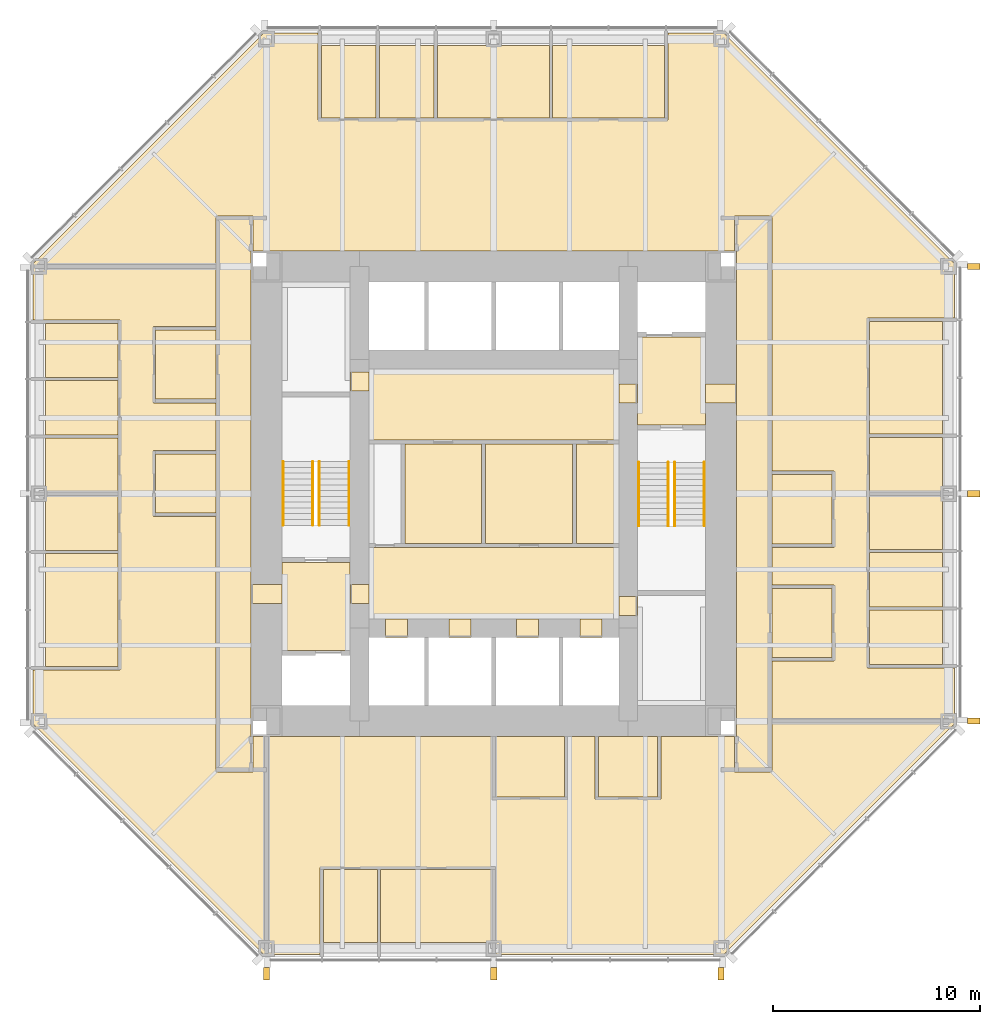
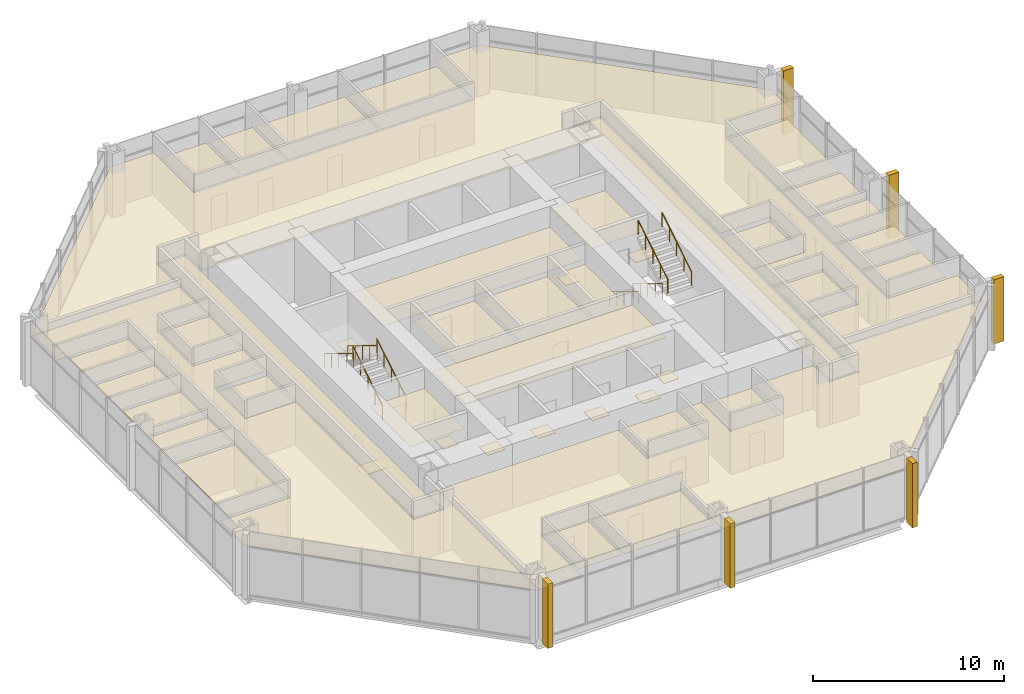
# One storey, part 12 of 12: 50 coverings, 8 railings.
"""IFC4 building model written with IfcOpenShell, lengths in metres."""

from ifc_helpers import new_model, si_unit, direction, frame, origin, origin_2d, place, context, subcontext, project, spatial, polyline, rectangle, circle, outline, extrude, material, layer, layer_set, type_object, element, save


model = new_model("IFC4")

# Units and contexts
model_context = context("Model", 3, precision=1e-05, world=origin(), true_north=direction((0.0, 1.0)))
body_context = subcontext(model_context, "Body", "Model", "MODEL_VIEW")
ifc_project = project(units=[si_unit("LENGTHUNIT", "METRE"), si_unit("AREAUNIT", "SQUARE_METRE"), si_unit("VOLUMEUNIT", "CUBIC_METRE"), si_unit("PLANEANGLEUNIT", "RADIAN"), si_unit("MASSUNIT", "GRAM", prefix="KILO")], contexts=[model_context])

# Site, building, storey
site_placement = place(None, origin())
site = spatial("IfcSite", under=ifc_project, at=site_placement, CompositionType="ELEMENT")
building_placement = place(site_placement, origin())
building = spatial("IfcBuilding", under=site, at=building_placement, Name="Trevanion Tower", CompositionType="ELEMENT")
storey_placement = place(building_placement, frame((0.0, 0.0, 121.300048828125)))
storey = spatial("IfcBuildingStorey", under=building, at=storey_placement, Name="L28", CompositionType="ELEMENT", Elevation=121.300048828125)

# Coverings
ifc_material_1 = material(Name="Fibrous plaster coffers on suspended steel grid", Category="steel")
ifc_layer_1 = layer(ifc_material_1, 0.050048828125)
ifc_layer_set_1 = layer_set([ifc_layer_1], Name="CL1 coffered fibrous plaster ceiling 50")
covering_type_1 = type_object("IfcCoveringType", Name="CL1 coffered fibrous plaster ceiling 50", PredefinedType="CEILING", material=ifc_layer_set_1)
covering_1_placement = place(storey_placement, frame((0.0, 0.0, 3.0)))
element("IfcCovering", 1, at=covering_1_placement, inside=storey, type_object=covering_type_1, Name="CL1 L28-LBS", PredefinedType="CEILING", context=body_context, shape_type="SweptSolid", body=[
    extrude(outline(polyline([(6.050048828125, -6.050048828125), (6.050048828125, -2.60009765625), (-6.050048828125, -2.60009765625), (-6.050048828125, -6.050048828125), (6.050048828125, -6.050048828125)])), origin(), (0.0, 0.0, 1.0), 0.050048828125),
])
ifc_material_2 = material(Name="Mineral fibre acoustic tiles in exposed grid", Category="mineral fibre")
ifc_layer_2 = layer(ifc_material_2, 0.02001953125)
ifc_layer_set_2 = layer_set([ifc_layer_2], Name="CL2 acoustic tile ceiling 20")
covering_type_2 = type_object("IfcCoveringType", Name="CL2 acoustic tile ceiling 20", PredefinedType="CEILING", material=ifc_layer_set_2)
covering_2_placement = place(storey_placement, frame((0.0, 0.0, 2.75)))
element("IfcCovering", 2, at=covering_2_placement, inside=storey, type_object=covering_type_2, Name="CL2 L28-LBN", PredefinedType="CEILING", context=body_context, shape_type="SweptSolid", body=[
    extrude(outline(polyline([(6.050048828125, 2.60009765625), (6.050048828125, 6.050048828125), (-6.050048828125, 6.050048828125), (-6.050048828125, 2.60009765625), (6.050048828125, 2.60009765625)])), origin(), (0.0, 0.0, 1.0), 0.02001953125),
])
covering_3_placement = place(storey_placement, frame((0.0, 0.0, 2.75)))
element("IfcCovering", 3, at=covering_3_placement, inside=storey, type_object=covering_type_2, Name="CL2 L28-CO1", PredefinedType="CEILING", context=body_context, shape_type="SweptSolid", body=[
    extrude(outline(polyline([(-11.75, 13.35009765625), (-11.75, -13.35009765625), (-13.35009765625, -13.35009765625), (-13.35009765625, 13.35009765625), (-11.75, 13.35009765625)])), origin(), (0.0, 0.0, 1.0), 0.02001953125),
])
covering_4_placement = place(storey_placement, frame((0.0, 0.0, 2.75)))
element("IfcCovering", 4, at=covering_4_placement, inside=storey, type_object=covering_type_2, Name="CL2 L28-CO2", PredefinedType="CEILING", context=body_context, shape_type="SweptSolid", body=[
    extrude(outline(polyline([(11.75, 13.35009765625), (13.35009765625, 13.35009765625), (13.35009765625, -13.35009765625), (11.75, -13.35009765625), (11.75, 13.35009765625)])), origin(), (0.0, 0.0, 1.0), 0.02001953125),
])
covering_5_placement = place(storey_placement, frame((0.0, 0.0, 2.75)))
element("IfcCovering", 5, at=covering_5_placement, inside=storey, type_object=covering_type_2, Name="CL2 L28-OF", PredefinedType="CEILING", context=body_context, shape_type="SweptSolid", body=[
    extrude(outline(polyline([(18.175048828125, -8.248046875), (18.175048828125, -5.6240234375), (21.699951171875, -5.6240234375), (21.699951171875, -8.248046875), (18.175048828125, -8.248046875)])), origin(), (0.0, 0.0, 1.0), 0.02001953125),
])
covering_6_placement = place(storey_placement, frame((0.0, 0.0, 2.75)))
element("IfcCovering", 6, at=covering_6_placement, inside=storey, type_object=covering_type_2, Name="CL2 L28-OF2", PredefinedType="CEILING", context=body_context, shape_type="SweptSolid", body=[
    extrude(outline(polyline([(18.175048828125, -5.47412109375), (18.175048828125, -2.85009765625), (21.699951171875, -2.85009765625), (21.699951171875, -5.47412109375), (18.175048828125, -5.47412109375)])), origin(), (0.0, 0.0, 1.0), 0.02001953125),
])
covering_7_placement = place(storey_placement, frame((0.0, 0.0, 2.75)))
element("IfcCovering", 7, at=covering_7_placement, inside=storey, type_object=covering_type_2, Name="CL2 L28-OF3", PredefinedType="CEILING", context=body_context, shape_type="SweptSolid", body=[
    extrude(outline(polyline([(18.175048828125, -2.699951171875), (18.175048828125, -0.074951171875), (21.699951171875, -0.074951171875), (21.699951171875, -2.699951171875), (18.175048828125, -2.699951171875)])), origin(), (0.0, 0.0, 1.0), 0.02001953125),
])
covering_8_placement = place(storey_placement, frame((0.0, 0.0, 2.75)))
element("IfcCovering", 8, at=covering_8_placement, inside=storey, type_object=covering_type_2, Name="CL2 L28-OF4", PredefinedType="CEILING", context=body_context, shape_type="SweptSolid", body=[
    extrude(outline(polyline([(18.175048828125, 0.074951171875), (18.175048828125, 2.73193359375), (21.699951171875, 2.73193359375), (21.699951171875, 0.074951171875), (18.175048828125, 0.074951171875)])), origin(), (0.0, 0.0, 1.0), 0.02001953125),
])
covering_9_placement = place(storey_placement, frame((0.0, 0.0, 2.75)))
element("IfcCovering", 9, at=covering_9_placement, inside=storey, type_object=covering_type_2, Name="CL2 L28-MR", PredefinedType="CEILING", context=body_context, shape_type="SweptSolid", body=[
    extrude(outline(polyline([(18.175048828125, 2.882080078125), (18.175048828125, 8.345947265625), (21.699951171875, 8.345947265625), (21.699951171875, 2.882080078125), (18.175048828125, 2.882080078125)])), origin(), (0.0, 0.0, 1.0), 0.02001953125),
])
covering_10_placement = place(storey_placement, frame((0.0, 0.0, 2.75)))
element("IfcCovering", 10, at=covering_10_placement, inside=storey, type_object=covering_type_2, Name="CL2 L28-MR2", PredefinedType="CEILING", context=body_context, shape_type="SweptSolid", body=[
    extrude(outline(polyline([(8.248046875, 18.175048828125), (2.85009765625, 18.175048828125), (2.85009765625, 21.699951171875), (8.248046875, 21.699951171875), (8.248046875, 18.175048828125)])), origin(), (0.0, 0.0, 1.0), 0.02001953125),
])
covering_11_placement = place(storey_placement, frame((0.0, 0.0, 2.75)))
element("IfcCovering", 11, at=covering_11_placement, inside=storey, type_object=covering_type_2, Name="CL2 L28-MR3", PredefinedType="CEILING", context=body_context, shape_type="SweptSolid", body=[
    extrude(outline(polyline([(2.699951171875, 18.175048828125), (-2.73193359375, 18.175048828125), (-2.73193359375, 21.699951171875), (2.699951171875, 21.699951171875), (2.699951171875, 18.175048828125)])), origin(), (0.0, 0.0, 1.0), 0.02001953125),
])
covering_12_placement = place(storey_placement, frame((0.0, 0.0, 2.75)))
element("IfcCovering", 12, at=covering_12_placement, inside=storey, type_object=covering_type_2, Name="CL2 L28-OF5", PredefinedType="CEILING", context=body_context, shape_type="SweptSolid", body=[
    extrude(outline(polyline([(-2.882080078125, 18.175048828125), (-5.5390625, 18.175048828125), (-5.5390625, 21.699951171875), (-2.882080078125, 21.699951171875), (-2.882080078125, 18.175048828125)])), origin(), (0.0, 0.0, 1.0), 0.02001953125),
])
covering_13_placement = place(storey_placement, frame((0.0, 0.0, 2.75)))
element("IfcCovering", 13, at=covering_13_placement, inside=storey, type_object=covering_type_2, Name="CL2 L28-OF6", PredefinedType="CEILING", context=body_context, shape_type="SweptSolid", body=[
    extrude(outline(polyline([(-5.68896484375, 18.175048828125), (-8.345947265625, 18.175048828125), (-8.345947265625, 21.699951171875), (-5.68896484375, 21.699951171875), (-5.68896484375, 18.175048828125)])), origin(), (0.0, 0.0, 1.0), 0.02001953125),
])
covering_14_placement = place(storey_placement, frame((0.0, 0.0, 2.75)))
element("IfcCovering", 14, at=covering_14_placement, inside=storey, type_object=covering_type_2, Name="CL2 L28-OF7", PredefinedType="CEILING", context=body_context, shape_type="SweptSolid", body=[
    extrude(outline(polyline([(-18.175048828125, 8.248046875), (-18.175048828125, 5.6240234375), (-21.699951171875, 5.6240234375), (-21.699951171875, 8.248046875), (-18.175048828125, 8.248046875)])), origin(), (0.0, 0.0, 1.0), 0.02001953125),
])
covering_15_placement = place(storey_placement, frame((0.0, 0.0, 2.75)))
element("IfcCovering", 15, at=covering_15_placement, inside=storey, type_object=covering_type_2, Name="CL2 L28-OF8", PredefinedType="CEILING", context=body_context, shape_type="SweptSolid", body=[
    extrude(outline(polyline([(-18.175048828125, 5.47412109375), (-18.175048828125, 2.85009765625), (-21.699951171875, 2.85009765625), (-21.699951171875, 5.47412109375), (-18.175048828125, 5.47412109375)])), origin(), (0.0, 0.0, 1.0), 0.02001953125),
])
covering_16_placement = place(storey_placement, frame((0.0, 0.0, 2.75)))
element("IfcCovering", 16, at=covering_16_placement, inside=storey, type_object=covering_type_2, Name="CL2 L28-OF9", PredefinedType="CEILING", context=body_context, shape_type="SweptSolid", body=[
    extrude(outline(polyline([(-18.175048828125, 2.699951171875), (-18.175048828125, 0.074951171875), (-21.699951171875, 0.074951171875), (-21.699951171875, 2.699951171875), (-18.175048828125, 2.699951171875)])), origin(), (0.0, 0.0, 1.0), 0.02001953125),
])
covering_17_placement = place(storey_placement, frame((0.0, 0.0, 2.75)))
element("IfcCovering", 17, at=covering_17_placement, inside=storey, type_object=covering_type_2, Name="CL2 L28-OF10", PredefinedType="CEILING", context=body_context, shape_type="SweptSolid", body=[
    extrude(outline(polyline([(-18.175048828125, -0.074951171875), (-18.175048828125, -2.73193359375), (-21.699951171875, -2.73193359375), (-21.699951171875, -0.074951171875), (-18.175048828125, -0.074951171875)])), origin(), (0.0, 0.0, 1.0), 0.02001953125),
])
covering_18_placement = place(storey_placement, frame((0.0, 0.0, 2.75)))
element("IfcCovering", 18, at=covering_18_placement, inside=storey, type_object=covering_type_2, Name="CL2 L28-MR4", PredefinedType="CEILING", context=body_context, shape_type="SweptSolid", body=[
    extrude(outline(polyline([(-18.175048828125, -2.882080078125), (-18.175048828125, -8.345947265625), (-21.699951171875, -8.345947265625), (-21.699951171875, -2.882080078125), (-18.175048828125, -2.882080078125)])), origin(), (0.0, 0.0, 1.0), 0.02001953125),
])
covering_19_placement = place(storey_placement, frame((0.0, 0.0, 2.75)))
element("IfcCovering", 19, at=covering_19_placement, inside=storey, type_object=covering_type_2, Name="CL2 L28-OF11", PredefinedType="CEILING", context=body_context, shape_type="SweptSolid", body=[
    extrude(outline(polyline([(-8.248046875, -18.175048828125), (-5.6240234375, -18.175048828125), (-5.6240234375, -21.699951171875), (-8.248046875, -21.699951171875), (-8.248046875, -18.175048828125)])), origin(), (0.0, 0.0, 1.0), 0.02001953125),
])
covering_20_placement = place(storey_placement, frame((0.0, 0.0, 2.75)))
element("IfcCovering", 20, at=covering_20_placement, inside=storey, type_object=covering_type_2, Name="CL2 L28-MR5", PredefinedType="CEILING", context=body_context, shape_type="SweptSolid", body=[
    extrude(outline(polyline([(-5.47412109375, -18.175048828125), (-0.074951171875, -18.175048828125), (-0.074951171875, -21.699951171875), (-5.47412109375, -21.699951171875), (-5.47412109375, -18.175048828125)])), origin(), (0.0, 0.0, 1.0), 0.02001953125),
])
covering_21_placement = place(storey_placement, frame((0.0, 0.0, 2.75)))
element("IfcCovering", 21, at=covering_21_placement, inside=storey, type_object=covering_type_2, Name="CL2 L28-RC", PredefinedType="CEILING", context=body_context, shape_type="SweptSolid", body=[
    extrude(outline(polyline([(13.449951171875, -7.925048828125), (13.449951171875, -4.574951171875), (16.375, -4.574951171875), (16.375, -7.925048828125), (13.449951171875, -7.925048828125)])), origin(), (0.0, 0.0, 1.0), 0.02001953125),
])
covering_22_placement = place(storey_placement, frame((0.0, 0.0, 2.75)))
element("IfcCovering", 22, at=covering_22_placement, inside=storey, type_object=covering_type_2, Name="CL2 L28-RC2", PredefinedType="CEILING", context=body_context, shape_type="SweptSolid", body=[
    extrude(outline(polyline([(-13.449951171875, 7.925048828125), (-13.449951171875, 4.574951171875), (-16.375, 4.574951171875), (-16.375, 7.925048828125), (-13.449951171875, 7.925048828125)])), origin(), (0.0, 0.0, 1.0), 0.02001953125),
])
covering_23_placement = place(storey_placement, frame((0.0, 0.0, 2.75)))
element("IfcCovering", 23, at=covering_23_placement, inside=storey, type_object=covering_type_2, Name="CL2 L28-RC3", PredefinedType="CEILING", context=body_context, shape_type="SweptSolid", body=[
    extrude(outline(polyline([(3.425048828125, -14.675048828125), (0.074951171875, -14.675048828125), (0.074951171875, -11.75), (3.425048828125, -11.75), (3.425048828125, -14.675048828125)])), origin(), (0.0, 0.0, 1.0), 0.02001953125),
])
covering_24_placement = place(storey_placement, frame((0.0, 0.0, 2.75)))
element("IfcCovering", 24, at=covering_24_placement, inside=storey, type_object=covering_type_2, Name="CL2 L28-OP", PredefinedType="CEILING", context=body_context, shape_type="SweptSolid", body=[
    extrude(outline(polyline([(11.64990234375, 13.449951171875), (11.64990234375, 11.75), (-11.64990234375, 11.75), (-11.64990234375, 13.449951171875), (-13.449951171875, 13.449951171875), (-13.449951171875, 11.0), (-22.300048828125, 11.0), (-22.300048828125, 11.124267578125), (-11.124267578125, 22.300048828125), (-8.51611328125, 22.300048828125), (-8.51611328125, 18.080078125), (8.41796875, 18.080078125), (8.41796875, 22.300048828125), (11.124267578125, 22.300048828125), (22.300048828125, 11.124267578125), (22.300048828125, 8.51611328125), (18.080078125, 8.51611328125), (18.080078125, -8.41796875), (22.300048828125, -8.41796875), (22.300048828125, -11.0), (13.449951171875, -11.0), (13.449951171875, -8.094970703125), (16.469970703125, -8.094970703125), (16.469970703125, -4.405029296875), (13.449951171875, -4.405029296875), (13.449951171875, -2.594970703125), (16.469970703125, -2.594970703125), (16.469970703125, 1.094970703125), (13.449951171875, 1.094970703125), (13.449951171875, 13.449951171875), (11.64990234375, 13.449951171875)])), origin(), (0.0, 0.0, 1.0), 0.02001953125),
])
covering_25_placement = place(storey_placement, frame((0.0, 0.0, 2.75)))
element("IfcCovering", 25, at=covering_25_placement, inside=storey, type_object=covering_type_2, Name="CL2 L28-OP2", PredefinedType="CEILING", context=body_context, shape_type="SweptSolid", body=[
    extrude(outline(polyline([(-13.449951171875, 8.094970703125), (-16.469970703125, 8.094970703125), (-16.469970703125, 4.405029296875), (-13.449951171875, 4.405029296875), (-13.449951171875, 2.094970703125), (-16.469970703125, 2.094970703125), (-16.469970703125, -1.094970703125), (-13.449951171875, -1.094970703125), (-13.449951171875, -13.449951171875), (-11.64990234375, -13.449951171875), (-11.64990234375, -11.75), (-11.0, -11.75), (-11.0, -22.300048828125), (-11.124267578125, -22.300048828125), (-22.300048828125, -11.124267578125), (-22.300048828125, -8.51611328125), (-18.080078125, -8.51611328125), (-18.080078125, 8.41796875), (-22.300048828125, 8.41796875), (-22.300048828125, 11.0), (-13.449951171875, 11.0), (-13.449951171875, 8.094970703125)])), origin(), (0.0, 0.0, 1.0), 0.02001953125),
])
covering_26_placement = place(storey_placement, frame((0.0, 0.0, 2.75)))
element("IfcCovering", 26, at=covering_26_placement, inside=storey, type_object=covering_type_2, Name="CL2 L28-OP3", PredefinedType="CEILING", context=body_context, shape_type="SweptSolid", body=[
    extrude(outline(polyline([(-0.094970703125, -11.75), (-0.094970703125, -14.77001953125), (3.594970703125, -14.77001953125), (3.594970703125, -11.75), (4.905029296875, -11.75), (4.905029296875, -14.77001953125), (8.094970703125, -14.77001953125), (8.094970703125, -11.75), (11.64990234375, -11.75), (11.64990234375, -13.449951171875), (13.449951171875, -13.449951171875), (13.449951171875, -11.0), (22.300048828125, -11.0), (22.300048828125, -11.124267578125), (11.124267578125, -22.300048828125), (0.094970703125, -22.300048828125), (0.094970703125, -18.080078125), (-8.41796875, -18.080078125), (-8.41796875, -22.300048828125), (-11.0, -22.300048828125), (-11.0, -11.75), (-0.094970703125, -11.75)])), origin(), (0.0, 0.0, 1.0), 0.02001953125),
])
ifc_material_3 = material(Name="Gypsum plasterboard on suspended metal furring", Category="gypsum")
ifc_layer_3 = layer(ifc_material_3, 0.012939453125)
ifc_layer_set_3 = layer_set([ifc_layer_3], Name="CL3 plasterboard ceiling 13")
covering_type_3 = type_object("IfcCoveringType", Name="CL3 plasterboard ceiling 13", PredefinedType="CEILING", material=ifc_layer_set_3)
covering_27_placement = place(storey_placement, frame((0.0, 0.0, 2.699951171875)))
element("IfcCovering", 27, at=covering_27_placement, inside=storey, type_object=covering_type_3, Name="CL3 L28-FV1", PredefinedType="CEILING", context=body_context, shape_type="SweptSolid", body=[
    extrude(outline(polyline([(10.25, 3.324951171875), (10.25, 7.574951171875), (6.949951171875, 7.574951171875), (6.949951171875, 3.324951171875), (10.25, 3.324951171875)])), origin(), (0.0, 0.0, 1.0), 0.012939453125),
])
covering_28_placement = place(storey_placement, frame((0.0, 0.0, 2.699951171875)))
element("IfcCovering", 28, at=covering_28_placement, inside=storey, type_object=covering_type_3, Name="CL3 L28-FV2", PredefinedType="CEILING", context=body_context, shape_type="SweptSolid", body=[
    extrude(outline(polyline([(-10.25, -3.324951171875), (-10.25, -7.574951171875), (-6.949951171875, -7.574951171875), (-6.949951171875, -3.324951171875), (-10.25, -3.324951171875)])), origin(), (0.0, 0.0, 1.0), 0.012939453125),
])
ifc_material_4 = material(Name="Moisture-resistant gypsum board on suspended metal furring", Category="gypsum")
ifc_layer_4 = layer(ifc_material_4, 0.01611328125)
ifc_layer_set_4 = layer_set([ifc_layer_4], Name="CL4 moisture-resistant board ceiling 16")
covering_type_4 = type_object("IfcCoveringType", Name="CL4 moisture-resistant board ceiling 16", PredefinedType="CEILING", material=ifc_layer_set_4)
covering_29_placement = place(storey_placement, frame((0.0, 0.0, 2.599853515625)))
element("IfcCovering", 29, at=covering_29_placement, inside=storey, type_object=covering_type_4, Name="CL4 L28-WCM", PredefinedType="CEILING", context=body_context, shape_type="SweptSolid", body=[
    extrude(outline(polyline([(-0.60009765625, -2.39990234375), (-0.60009765625, 2.39990234375), (-4.300048828125, 2.39990234375), (-4.300048828125, -2.39990234375), (-0.60009765625, -2.39990234375)])), origin(), (0.0, 0.0, 1.0), 0.01611328125),
])
covering_30_placement = place(storey_placement, frame((0.0, 0.0, 2.599853515625)))
element("IfcCovering", 30, at=covering_30_placement, inside=storey, type_object=covering_type_4, Name="CL4 L28-WCF", PredefinedType="CEILING", context=body_context, shape_type="SweptSolid", body=[
    extrude(outline(polyline([(3.800048828125, -2.39990234375), (3.800048828125, 2.39990234375), (-0.39990234375, 2.39990234375), (-0.39990234375, -2.39990234375), (3.800048828125, -2.39990234375)])), origin(), (0.0, 0.0, 1.0), 0.01611328125),
])
covering_31_placement = place(storey_placement, frame((0.0, 0.0, 2.599853515625)))
element("IfcCovering", 31, at=covering_31_placement, inside=storey, type_object=covering_type_4, Name="CL4 L28-WCA", PredefinedType="CEILING", context=body_context, shape_type="SweptSolid", body=[
    extrude(outline(polyline([(6.050048828125, -2.39990234375), (6.050048828125, 2.39990234375), (4.0, 2.39990234375), (4.0, -2.39990234375), (6.050048828125, -2.39990234375)])), origin(), (0.0, 0.0, 1.0), 0.01611328125),
])
covering_32_placement = place(storey_placement, frame((0.0, 0.0, 2.599853515625)))
element("IfcCovering", 32, at=covering_32_placement, inside=storey, type_object=covering_type_4, Name="CL4 L28-PA", PredefinedType="CEILING", context=body_context, shape_type="SweptSolid", body=[
    extrude(outline(polyline([(13.449951171875, -2.425048828125), (13.449951171875, 0.925048828125), (16.375, 0.925048828125), (16.375, -2.425048828125), (13.449951171875, -2.425048828125)])), origin(), (0.0, 0.0, 1.0), 0.01611328125),
])
covering_33_placement = place(storey_placement, frame((0.0, 0.0, 2.599853515625)))
element("IfcCovering", 33, at=covering_33_placement, inside=storey, type_object=covering_type_4, Name="CL4 L28-PA2", PredefinedType="CEILING", context=body_context, shape_type="SweptSolid", body=[
    extrude(outline(polyline([(-13.449951171875, 1.925048828125), (-13.449951171875, -0.925048828125), (-16.375, -0.925048828125), (-16.375, 1.925048828125), (-13.449951171875, 1.925048828125)])), origin(), (0.0, 0.0, 1.0), 0.01611328125),
])
covering_34_placement = place(storey_placement, frame((0.0, 0.0, 2.599853515625)))
element("IfcCovering", 34, at=covering_34_placement, inside=storey, type_object=covering_type_4, Name="CL4 L28-PA3", PredefinedType="CEILING", context=body_context, shape_type="SweptSolid", body=[
    extrude(outline(polyline([(7.925048828125, -14.675048828125), (5.074951171875, -14.675048828125), (5.074951171875, -11.75), (7.925048828125, -11.75), (7.925048828125, -14.675048828125)])), origin(), (0.0, 0.0, 1.0), 0.01611328125),
])
ifc_material_5 = material(Name="Cast bronze fin on aluminium carrier", Category="aluminium")
covering_type_5 = type_object("IfcCoveringType", Name="F1 bronze fin", PredefinedType="CLADDING", material=ifc_material_5)
for number, where, z_axis, x_axis, name in (
    (35, (23.22509765625, -11.0, -0.190185546875), (0.0, 0.0, 1.0), (0.0, 1.0, 0.0), "F1 L28 east -11.0"),
    (36, (23.22509765625, 0.0, -0.190185546875), (0.0, 0.0, 1.0), (0.0, 1.0, 0.0), "F1 L28 east +0.0"),
    (37, (23.22509765625, 11.0, -0.190185546875), (0.0, 0.0, 1.0), (0.0, 1.0, 0.0), "F1 L28 east +11.0"),
    (38, (-11.0, -23.22509765625, -0.190185546875), (0.0, 0.0, 1.0), (1.0, 0.0, 0.0), "F1 L28 south -11.0"),
    (39, (0.0, -23.22509765625, -0.190185546875), (0.0, 0.0, 1.0), (1.0, 0.0, 0.0), "F1 L28 south +0.0"),
    (40, (11.0, -23.22509765625, -0.190185546875), (0.0, 0.0, 1.0), (1.0, 0.0, 0.0), "F1 L28 south +11.0"),
):
    element("IfcCovering", number, at=place(storey_placement, frame(where, z_axis=z_axis, x_axis=x_axis)), inside=storey, type_object=covering_type_5, Name=name, PredefinedType="CLADDING", context=body_context, shape_type="SweptSolid", body=[
        extrude(rectangle(XDim=0.300048828125, YDim=0.60009765625, at=origin_2d()), origin(), (0.0, 0.0, 1.0), 4.10009765625),
    ])
ifc_material_6 = material(Name="Terrazzo, brass divider strips", Category="stone")
ifc_layer_5 = layer(ifc_material_6, 0.02001953125)
ifc_layer_set_5 = layer_set([ifc_layer_5], Name="FF1 terrazzo flooring")
covering_type_6 = type_object("IfcCoveringType", Name="FF1 terrazzo flooring", PredefinedType="FLOORING", material=ifc_layer_set_5)
covering_35_placement = place(storey_placement, origin())
element("IfcCovering", 41, at=covering_35_placement, inside=storey, type_object=covering_type_6, Name="FF1 threshold 28-001", PredefinedType="FLOORING", context=body_context, shape_type="SweptSolid", body=[
    extrude(outline(polyline([(11.75, 4.392578125), (11.75, 5.3076171875), (10.25, 5.3076171875), (10.25, 4.392578125), (11.75, 4.392578125)])), origin(), (0.0, 0.0, 1.0), 0.02001953125),
])
covering_36_placement = place(storey_placement, origin())
element("IfcCovering", 42, at=covering_36_placement, inside=storey, type_object=covering_type_6, Name="FF1 threshold 28-002", PredefinedType="FLOORING", context=body_context, shape_type="SweptSolid", body=[
    extrude(outline(polyline([(-11.75, -4.392578125), (-11.75, -5.3076171875), (-10.25, -5.3076171875), (-10.25, -4.392578125), (-11.75, -4.392578125)])), origin(), (0.0, 0.0, 1.0), 0.02001953125),
])
covering_37_placement = place(storey_placement, origin())
element("IfcCovering", 43, at=covering_37_placement, inside=storey, type_object=covering_type_6, Name="FF1 threshold 28-003", PredefinedType="FLOORING", context=body_context, shape_type="SweptSolid", body=[
    extrude(outline(polyline([(6.949951171875, 4.392578125), (6.949951171875, 5.3076171875), (6.050048828125, 5.3076171875), (6.050048828125, 4.392578125), (6.949951171875, 4.392578125)])), origin(), (0.0, 0.0, 1.0), 0.02001953125),
])
covering_38_placement = place(storey_placement, origin())
element("IfcCovering", 44, at=covering_38_placement, inside=storey, type_object=covering_type_6, Name="FF1 threshold 28-004", PredefinedType="FLOORING", context=body_context, shape_type="SweptSolid", body=[
    extrude(outline(polyline([(-6.949951171875, -4.392578125), (-6.949951171875, -5.3076171875), (-6.050048828125, -5.3076171875), (-6.050048828125, -4.392578125), (-6.949951171875, -4.392578125)])), origin(), (0.0, 0.0, 1.0), 0.02001953125),
])
covering_39_placement = place(storey_placement, origin())
element("IfcCovering", 45, at=covering_39_placement, inside=storey, type_object=covering_type_6, Name="FF1 threshold 28-009", PredefinedType="FLOORING", context=body_context, shape_type="SweptSolid", body=[
    extrude(outline(polyline([(6.949951171875, -5.889892578125), (6.949951171875, -4.97509765625), (6.050048828125, -4.97509765625), (6.050048828125, -5.889892578125), (6.949951171875, -5.889892578125)])), origin(), (0.0, 0.0, 1.0), 0.02001953125),
])
covering_40_placement = place(storey_placement, origin())
element("IfcCovering", 46, at=covering_40_placement, inside=storey, type_object=covering_type_6, Name="FF1 threshold 28-010", PredefinedType="FLOORING", context=body_context, shape_type="SweptSolid", body=[
    extrude(outline(polyline([(-6.949951171875, 5.889892578125), (-6.949951171875, 4.97509765625), (-6.050048828125, 4.97509765625), (-6.050048828125, 5.889892578125), (-6.949951171875, 5.889892578125)])), origin(), (0.0, 0.0, 1.0), 0.02001953125),
])
covering_41_placement = place(storey_placement, origin())
element("IfcCovering", 47, at=covering_41_placement, inside=storey, type_object=covering_type_6, Name="FF1 threshold 28-011", PredefinedType="FLOORING", context=body_context, shape_type="SweptSolid", body=[
    extrude(outline(polyline([(-5.2333984375, -6.949951171875), (-4.16650390625, -6.949951171875), (-4.16650390625, -6.050048828125), (-5.2333984375, -6.050048828125), (-5.2333984375, -6.949951171875)])), origin(), (0.0, 0.0, 1.0), 0.02001953125),
])
covering_42_placement = place(storey_placement, origin())
element("IfcCovering", 48, at=covering_42_placement, inside=storey, type_object=covering_type_6, Name="FF1 threshold 28-012", PredefinedType="FLOORING", context=body_context, shape_type="SweptSolid", body=[
    extrude(outline(polyline([(-2.158447265625, -6.949951171875), (-1.091552734375, -6.949951171875), (-1.091552734375, -6.050048828125), (-2.158447265625, -6.050048828125), (-2.158447265625, -6.949951171875)])), origin(), (0.0, 0.0, 1.0), 0.02001953125),
])
covering_43_placement = place(storey_placement, origin())
element("IfcCovering", 49, at=covering_43_placement, inside=storey, type_object=covering_type_6, Name="FF1 threshold 28-013", PredefinedType="FLOORING", context=body_context, shape_type="SweptSolid", body=[
    extrude(outline(polyline([(1.091552734375, -6.949951171875), (2.158447265625, -6.949951171875), (2.158447265625, -6.050048828125), (1.091552734375, -6.050048828125), (1.091552734375, -6.949951171875)])), origin(), (0.0, 0.0, 1.0), 0.02001953125),
])
covering_44_placement = place(storey_placement, origin())
element("IfcCovering", 50, at=covering_44_placement, inside=storey, type_object=covering_type_6, Name="FF1 threshold 28-014", PredefinedType="FLOORING", context=body_context, shape_type="SweptSolid", body=[
    extrude(outline(polyline([(4.16650390625, -6.949951171875), (5.2333984375, -6.949951171875), (5.2333984375, -6.050048828125), (4.16650390625, -6.050048828125), (4.16650390625, -6.949951171875)])), origin(), (0.0, 0.0, 1.0), 0.02001953125),
])

# Railings
ifc_material_7 = material(Name="Stainless steel tube 40 mm", Category="steel")
railing_type = type_object("IfcRailingType", Name="HR1 handrail", PredefinedType="HANDRAIL", material=ifc_material_7)
for number, where, name in (
    (51, (7.010009765625, 1.52490234375, 0.170654296875), "HR1 ST1 L28 flight 1"),
    (52, (8.43994140625, 1.52490234375, 0.170654296875), "HR1 ST1 L28 flight 1"),
):
    element("IfcRailing", number, at=place(storey_placement, frame(where)), inside=storey, type_object=railing_type, Name=name, PredefinedType="HANDRAIL", context=body_context, shape_type="SweptSolid", body=[
        extrude(circle(Radius=0.02001953125, at=origin_2d()), frame((0.0, 0.0, 0.8798828125), z_axis=(0.0, -0.853617861917, 0.520899746416), x_axis=(1.0, 0.0, 0.0)), (0.0, 0.0, 1.0), 3.60791015625),
        extrude(circle(Radius=0.01513671875, at=origin_2d()), origin(), (0.0, 0.0, 1.0), 0.85986328125),
        extrude(circle(Radius=0.01513671875, at=origin_2d()), frame((0.0, -0.77001953125, 0.4697265625)), (0.0, 0.0, 1.0), 0.85986328125),
        extrude(circle(Radius=0.01513671875, at=origin_2d()), frame((0.0, -1.5400390625, 0.939697265625)), (0.0, 0.0, 1.0), 0.85986328125),
        extrude(circle(Radius=0.01513671875, at=origin_2d()), frame((0.0, -2.309814453125, 1.40966796875)), (0.0, 0.0, 1.0), 0.85986328125),
        extrude(circle(Radius=0.01513671875, at=origin_2d()), frame((0.0, -3.079833984375, 1.87939453125)), (0.0, 0.0, 1.0), 0.85986328125),
    ])
for number, where, name in (
    (53, (8.760009765625, -1.554931640625, 2.220703125), "HR1 ST1 L28 flight 2"),
    (54, (10.18994140625, -1.554931640625, 2.220703125), "HR1 ST1 L28 flight 2"),
):
    element("IfcRailing", number, at=place(storey_placement, frame(where)), inside=storey, type_object=railing_type, Name=name, PredefinedType="HANDRAIL", context=body_context, shape_type="SweptSolid", body=[
        extrude(circle(Radius=0.02001953125, at=origin_2d()), frame((0.0, 0.0, 0.8798828125), z_axis=(0.0, 0.853647949592, 0.520850437417), x_axis=(-1.0, 0.0, 0.0)), (0.0, 0.0, 1.0), 3.60791015625),
        extrude(circle(Radius=0.01513671875, at=origin_2d()), origin(), (0.0, 0.0, 1.0), 0.85986328125),
        extrude(circle(Radius=0.01513671875, at=origin_2d()), frame((0.0, 0.77001953125, 0.4697265625)), (0.0, 0.0, 1.0), 0.85986328125),
        extrude(circle(Radius=0.01513671875, at=origin_2d()), frame((0.0, 1.5400390625, 0.939453125)), (0.0, 0.0, 1.0), 0.85986328125),
        extrude(circle(Radius=0.01513671875, at=origin_2d()), frame((0.0, 2.309814453125, 1.409423828125)), (0.0, 0.0, 1.0), 0.85986328125),
        extrude(circle(Radius=0.01513671875, at=origin_2d()), frame((0.0, 3.079833984375, 1.879150390625)), (0.0, 0.0, 1.0), 0.85986328125),
    ])
for number, where, name in (
    (55, (-7.010009765625, -1.52490234375, 0.170654296875), "HR1 ST2 L28 flight 1"),
    (56, (-8.43994140625, -1.52490234375, 0.170654296875), "HR1 ST2 L28 flight 1"),
):
    element("IfcRailing", number, at=place(storey_placement, frame(where)), inside=storey, type_object=railing_type, Name=name, PredefinedType="HANDRAIL", context=body_context, shape_type="SweptSolid", body=[
        extrude(circle(Radius=0.02001953125, at=origin_2d()), frame((0.0, 0.0, 0.8798828125), z_axis=(0.0, 0.853617861917, 0.520899746416), x_axis=(-1.0, 0.0, 0.0)), (0.0, 0.0, 1.0), 3.60791015625),
        extrude(circle(Radius=0.01513671875, at=origin_2d()), origin(), (0.0, 0.0, 1.0), 0.85986328125),
        extrude(circle(Radius=0.01513671875, at=origin_2d()), frame((0.0, 0.77001953125, 0.4697265625)), (0.0, 0.0, 1.0), 0.85986328125),
        extrude(circle(Radius=0.01513671875, at=origin_2d()), frame((0.0, 1.5400390625, 0.939697265625)), (0.0, 0.0, 1.0), 0.85986328125),
        extrude(circle(Radius=0.01513671875, at=origin_2d()), frame((0.0, 2.309814453125, 1.40966796875)), (0.0, 0.0, 1.0), 0.85986328125),
        extrude(circle(Radius=0.01513671875, at=origin_2d()), frame((0.0, 3.079833984375, 1.87939453125)), (0.0, 0.0, 1.0), 0.85986328125),
    ])
for number, where, name in (
    (57, (-8.760009765625, 1.554931640625, 2.220703125), "HR1 ST2 L28 flight 2"),
    (58, (-10.18994140625, 1.554931640625, 2.220703125), "HR1 ST2 L28 flight 2"),
):
    element("IfcRailing", number, at=place(storey_placement, frame(where)), inside=storey, type_object=railing_type, Name=name, PredefinedType="HANDRAIL", context=body_context, shape_type="SweptSolid", body=[
        extrude(circle(Radius=0.02001953125, at=origin_2d()), frame((0.0, 0.0, 0.8798828125), z_axis=(0.0, -0.853647949592, 0.520850437417), x_axis=(1.0, 0.0, 0.0)), (0.0, 0.0, 1.0), 3.60791015625),
        extrude(circle(Radius=0.01513671875, at=origin_2d()), origin(), (0.0, 0.0, 1.0), 0.85986328125),
        extrude(circle(Radius=0.01513671875, at=origin_2d()), frame((0.0, -0.77001953125, 0.4697265625)), (0.0, 0.0, 1.0), 0.85986328125),
        extrude(circle(Radius=0.01513671875, at=origin_2d()), frame((0.0, -1.5400390625, 0.939453125)), (0.0, 0.0, 1.0), 0.85986328125),
        extrude(circle(Radius=0.01513671875, at=origin_2d()), frame((0.0, -2.309814453125, 1.409423828125)), (0.0, 0.0, 1.0), 0.85986328125),
        extrude(circle(Radius=0.01513671875, at=origin_2d()), frame((0.0, -3.079833984375, 1.879150390625)), (0.0, 0.0, 1.0), 0.85986328125),
    ])

save(model, "model.ifc")
